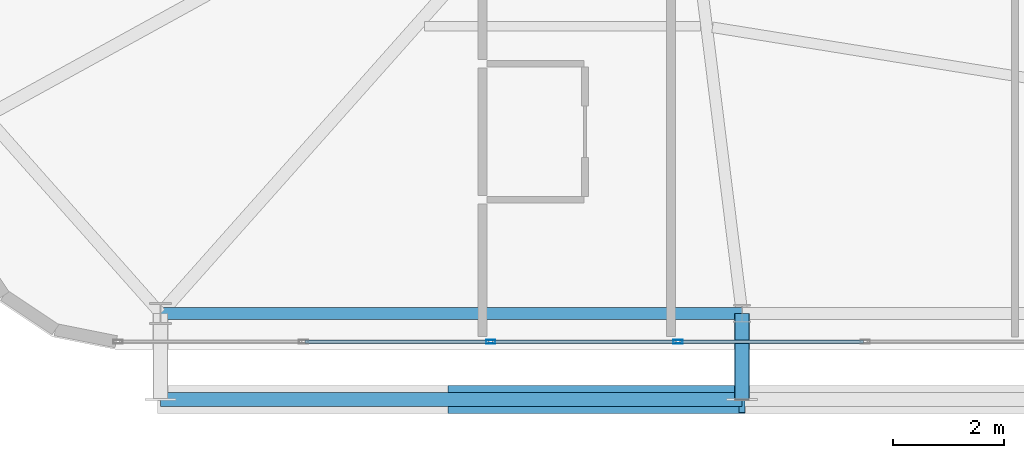
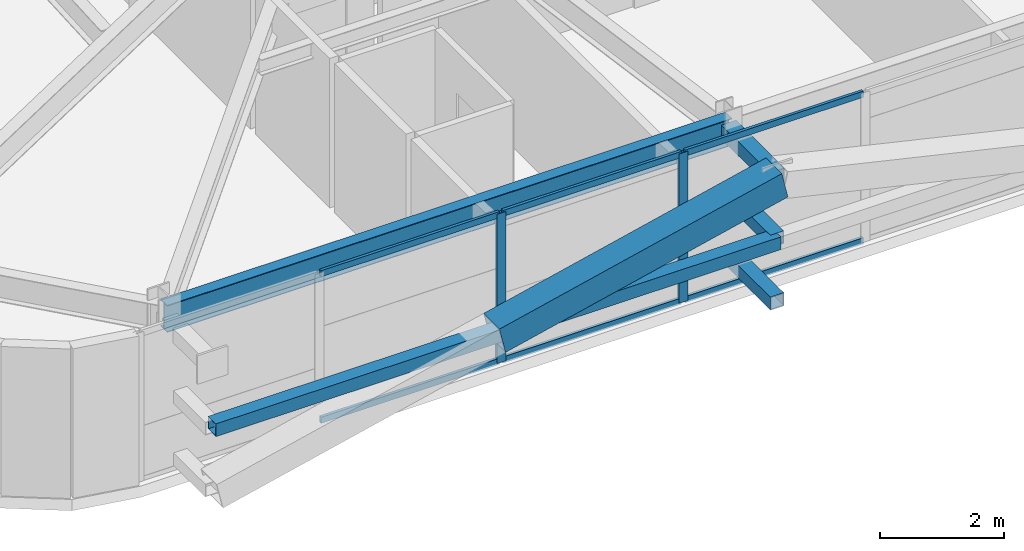
# One storey, part 6 of 58: 13 members, 1 beam, 1 element without a shape of its own.
"""IFC4 building model written with IfcOpenShell, lengths in metres."""

from ifc_helpers import new_model, si_unit, direction, frame, origin, origin_2d, place, context, subcontext, project, spatial, hollow_rectangle, i_section, extrude, source, transform, mapped, material, layer, layer_set, material_profile, profile_set, type_object, element, aggregate, save


model = new_model("IFC4")

# Units and contexts
model_context = context("Model", 3, precision=1e-05, world=origin(), true_north=direction((0.0, 1.0)))
body_context = subcontext(model_context, "Body", "Model", "MODEL_VIEW")
ifc_project = project(units=[si_unit("LENGTHUNIT", "METRE"), si_unit("AREAUNIT", "SQUARE_METRE"), si_unit("VOLUMEUNIT", "CUBIC_METRE"), si_unit("PLANEANGLEUNIT", "RADIAN"), si_unit("MASSUNIT", "GRAM", prefix="KILO")], contexts=[model_context])

# Site, building, storey
site_placement = place(None, origin())
site = spatial("IfcSite", under=ifc_project, at=site_placement, CompositionType="ELEMENT")
building_placement = place(site_placement, origin())
building = spatial("IfcBuilding", under=site, at=building_placement, Name="Taldren Reach Tower", CompositionType="ELEMENT")
storey_placement = place(building_placement, frame((0.0, 0.0, 54.60009765625)))
storey = spatial("IfcBuildingStorey", under=building, at=storey_placement, Name="L16", CompositionType="ELEMENT", Elevation=54.60009765625)

# Beam
ifc_material_1 = material(Name="Steel Gr 350 (350PLUS)", Category="steel")
ifc_material_profile_1 = material_profile(ifc_material_1, i_section(OverallWidth=0.208984375, OverallDepth=0.528076171875, WebThickness=0.009521484375, FlangeThickness=0.01318359375, at=origin_2d()), Name="530UB82.0")
ifc_profile_set_1 = profile_set([ifc_material_profile_1], Name="Steel Gr 350 (350PLUS)")
beam_type = type_object("IfcBeamType", Name="SP-UB530B", PredefinedType="SPANDREL", material=ifc_profile_set_1)
shared_shape_1 = source(origin(), body_context, "Body", "SweptSolid", [
    extrude(i_section(OverallWidth=0.208984375, OverallDepth=0.528076171875, WebThickness=0.009521484375, FlangeThickness=0.01318359375, at=origin_2d()), origin(), (0.0, 0.0, 1.0), 10.47998046875),
])
beam_placement = place(storey_placement, frame((8.800048828125, 2.14990234375, 2.666015625), z_axis=(1.0, 0.0, 0.0), x_axis=(0.0, 1.0, 0.0)))
element("IfcBeam", 1, at=beam_placement, inside=storey, type_object=beam_type, Name="Perimeter spandrel B1 S1-S2 L16", PredefinedType="SPANDREL", context=body_context, shape_type="MappedRepresentation", body=[
    mapped(shared_shape_1, transform((0.0, 0.0, 0.0), scale=1.0)),
])

# Members
ifc_material_2 = material(Name="Steel Gr 450 (C450L0)", Category="steel")
ifc_material_profile_2 = material_profile(ifc_material_2, hollow_rectangle(XDim=0.27490234375, YDim=0.27490234375, WallThickness=0.00927734375, at=origin_2d()), Name="275x275x9.3SHS")
ifc_profile_set_2 = profile_set([ifc_material_profile_2], Name="Steel Gr 450 (C450L0)")
member_type_1 = type_object("IfcMemberType", Name="MB-TIE273", PredefinedType="STRUT", material=ifc_profile_set_2)
shared_shape_2 = source(origin(), body_context, "Body", "SweptSolid", [
    extrude(hollow_rectangle(XDim=0.27490234375, YDim=0.27490234375, WallThickness=0.00927734375, at=origin_2d()), origin(), (0.0, 0.0, 1.0), 1.5498046875),
])
member_1_placement = place(storey_placement, frame((19.280029296875, 2.14990234375, 2.64990234375), z_axis=(0.0, -1.0, 0.0), x_axis=(1.0, 0.0, 0.0)))
element("IfcMember", 2, at=member_1_placement, inside=storey, type_object=member_type_1, Name="Exoskeleton diaphragm tie strut B1-S2 L16", PredefinedType="STRUT", context=body_context, shape_type="MappedRepresentation", body=[
    mapped(shared_shape_2, transform((0.0, 0.0, 0.0), scale=1.0)),
])
ifc_material_profile_3 = material_profile(ifc_material_2, hollow_rectangle(XDim=0.510009765625, YDim=0.510009765625, WallThickness=0.02001953125, at=origin_2d()), Name="510x510x20.0SHS")
ifc_profile_set_3 = profile_set([ifc_material_profile_3], Name="Steel Gr 450 (C450L0)")
member_type_2 = type_object("IfcMemberType", Name="MB-EXO508", PredefinedType="BRACE", material=ifc_profile_set_3)
shared_shape_3 = source(origin(), body_context, "Body", "SweptSolid", [
    extrude(hollow_rectangle(XDim=0.510009765625, YDim=0.510009765625, WallThickness=0.02001953125, at=origin_2d()), origin(), (0.0, 0.0, 1.0), 5.37890625),
])
member_2_placement = place(storey_placement, frame((14.0400390625, 0.60009765625, 1.434814453125), z_axis=(0.97415197996, 0.0, 0.225893603143), x_axis=(0.0, 1.0, 0.0)))
element("IfcMember", 3, at=member_2_placement, inside=storey, type_object=member_type_2, Name="Exoskeleton Diagrid Brace B1-S1 L16", PredefinedType="BRACE", context=body_context, shape_type="MappedRepresentation", body=[
    mapped(shared_shape_3, transform((0.0, 0.0, 0.0), scale=1.0)),
])
ifc_material_3 = material(Name="Steel Gr 350 (C350L0)", Category="steel")
ifc_material_profile_4 = material_profile(ifc_material_3, hollow_rectangle(XDim=0.25, YDim=0.25, WallThickness=0.010009765625, at=origin_2d()), Name="250x250x10.0SHS")
ifc_profile_set_4 = profile_set([ifc_material_profile_4], Name="Steel Gr 350 (C350L0)")
member_type_3 = type_object("IfcMemberType", Name="MB-POST250", PredefinedType="POST", material=ifc_profile_set_4)
shared_shape_4 = source(origin(), body_context, "Body", "SweptSolid", [
    extrude(hollow_rectangle(XDim=0.25, YDim=0.25, WallThickness=0.010009765625, at=origin_2d()), origin(), (0.0, 0.0, 1.0), 10.47998046875),
])
member_3_placement = place(storey_placement, frame((8.800048828125, 0.60009765625, 1.434814453125), z_axis=(1.0, 0.0, 0.0), x_axis=(0.0, 1.0, 0.0)))
element("IfcMember", 4, at=member_3_placement, inside=storey, type_object=member_type_3, Name="Exoskeleton mid-height ring chord B1-S1 L16", PredefinedType="POST", context=body_context, shape_type="MappedRepresentation", body=[
    mapped(shared_shape_4, transform((0.0, 0.0, 0.0), scale=1.0)),
])
shared_shape_5 = source(origin(), body_context, "Body", "SweptSolid", [
    extrude(hollow_rectangle(XDim=0.25, YDim=0.25, WallThickness=0.010009765625, at=origin_2d()), origin(), (0.0, 0.0, 1.0), 1.5498046875),
])
for number, where, z_axis, x_axis, name in (
    (5, (19.280029296875, 2.14990234375, 0.219970703125), (0.0, -1.0, 0.0), (1.0, 0.0, 0.0), "Exoskeleton base diaphragm tie strut B1-S2 L16"),
    (6, (19.280029296875, 2.14990234375, 1.434814453125), (0.0, -1.0, 0.0), (1.0, 0.0, 0.0), "Exoskeleton mid-tier diaphragm tie B1-S2 L16"),
):
    element("IfcMember", number, at=place(storey_placement, frame(where, z_axis=z_axis, x_axis=x_axis)), inside=storey, type_object=member_type_3, Name=name, PredefinedType="POST", context=body_context, shape_type="MappedRepresentation", body=[
        mapped(shared_shape_5, transform((0.0, 0.0, 0.0), scale=1.0)),
    ])

# Curtain wall, members
ifc_material_4 = material(Name="Aluminium and Low-E Glass Unitised System", Category="aluminium")
ifc_layer = layer(ifc_material_4, 0.159912109375)
ifc_layer_set = layer_set([ifc_layer], Name="Aluminium and Low-E Glass Unitised System")
curtain_wall_type = type_object("IfcCurtainWallType", Name="CW-SYS-2", PredefinedType="NOTDEFINED", material=ifc_layer_set)
curtain_wall_placement = place(storey_placement, origin())
curtain_wall = element("IfcCurtainWall", 7, at=curtain_wall_placement, inside=storey, type_object=curtain_wall_type, Name="Unitised curtain wall CW-L16-S", PredefinedType="NOTDEFINED")
ifc_material_5 = material(Name="Anodised Aluminium 6063-T6", Category="aluminium")
ifc_material_profile_5 = material_profile(ifc_material_5, hollow_rectangle(XDim=0.06494140625, YDim=0.1650390625, WallThickness=0.00390625, at=origin_2d()), Name="ALU-165x65x4RHS")
ifc_profile_set_5 = profile_set([ifc_material_profile_5], Name="Anodised Aluminium 6063-T6")
member_type_4 = type_object("IfcMemberType", Name="CW-MUL-165", PredefinedType="MULLION", material=ifc_profile_set_5)
shared_shape_6 = source(origin(), body_context, "Body", "SweptSolid", [
    extrude(hollow_rectangle(XDim=0.06494140625, YDim=0.1650390625, WallThickness=0.00390625, at=origin_2d()), origin(), (0.0, 0.0, 1.0), 2.929931640625),
])
member_4_placement = place(storey_placement, frame((14.75, 1.639892578125, 0.0), z_axis=(0.0, 0.0, 1.0), x_axis=(0.0, 1.0, 0.0)))
member_4 = element("IfcMember", 8, at=member_4_placement, type_object=member_type_4, Name="CW-2 mullion 3", PredefinedType="MULLION", context=body_context, shape_type="MappedRepresentation", body=[
    mapped(shared_shape_6, transform((0.0, 0.0, 0.0), scale=1.0)),
])
member_5_placement = place(storey_placement, frame((18.125, 1.639892578125, 0.0), z_axis=(0.0, 0.0, 1.0), x_axis=(0.0, 1.0, 0.0)))
member_5 = element("IfcMember", 9, at=member_5_placement, type_object=member_type_4, Name="CW-2 mullion 4", PredefinedType="MULLION", context=body_context, shape_type="MappedRepresentation", body=[
    mapped(shared_shape_6, transform((0.0, 0.0, 0.0), scale=1.0)),
])
ifc_material_profile_6 = material_profile(ifc_material_5, hollow_rectangle(XDim=0.054931640625, YDim=0.1201171875, WallThickness=0.0029296875, at=origin_2d()), Name="ALU-120x55x3RHS")
ifc_profile_set_6 = profile_set([ifc_material_profile_6], Name="Anodised Aluminium 6063-T6")
member_type_5 = type_object("IfcMemberType", Name="CW-TRN-135", PredefinedType="USERDEFINED", material=ifc_profile_set_6)
shared_shape_7 = source(origin(), body_context, "Body", "SweptSolid", [
    extrude(hollow_rectangle(XDim=0.054931640625, YDim=0.1201171875, WallThickness=0.0029296875, at=origin_2d()), origin(), (0.0, 0.0, 1.0), 3.31005859375),
])
member_6_placement = place(storey_placement, frame((11.407470703125, 1.639892578125, 0.02734375), z_axis=(1.0, 0.0, 0.0), x_axis=(0.0, 1.0, 0.0)))
member_6 = element("IfcMember", 10, at=member_6_placement, type_object=member_type_5, Name="CW-2 transom 2.1", ObjectType="TRANSOM", PredefinedType="USERDEFINED", context=body_context, shape_type="MappedRepresentation", body=[
    mapped(shared_shape_7, transform((0.0, 0.0, 0.0), scale=1.0)),
])
member_7_placement = place(storey_placement, frame((11.407470703125, 1.639892578125, 2.90234375), z_axis=(1.0, 0.0, 0.0), x_axis=(0.0, 1.0, 0.0)))
member_7 = element("IfcMember", 11, at=member_7_placement, type_object=member_type_5, Name="CW-2 transom 2.2", ObjectType="TRANSOM", PredefinedType="USERDEFINED", context=body_context, shape_type="MappedRepresentation", body=[
    mapped(shared_shape_7, transform((0.0, 0.0, 0.0), scale=1.0)),
])
member_8_placement = place(storey_placement, frame((14.782470703125, 1.639892578125, 0.02734375), z_axis=(1.0, 0.0, 0.0), x_axis=(0.0, 1.0, 0.0)))
member_8 = element("IfcMember", 12, at=member_8_placement, type_object=member_type_5, Name="CW-2 transom 3.1", ObjectType="TRANSOM", PredefinedType="USERDEFINED", context=body_context, shape_type="MappedRepresentation", body=[
    mapped(shared_shape_7, transform((0.0, 0.0, 0.0), scale=1.0)),
])
member_9_placement = place(storey_placement, frame((14.782470703125, 1.639892578125, 2.90234375), z_axis=(1.0, 0.0, 0.0), x_axis=(0.0, 1.0, 0.0)))
member_9 = element("IfcMember", 13, at=member_9_placement, type_object=member_type_5, Name="CW-2 transom 3.2", ObjectType="TRANSOM", PredefinedType="USERDEFINED", context=body_context, shape_type="MappedRepresentation", body=[
    mapped(shared_shape_7, transform((0.0, 0.0, 0.0), scale=1.0)),
])
member_10_placement = place(storey_placement, frame((18.157470703125, 1.639892578125, 0.02734375), z_axis=(1.0, 0.0, 0.0), x_axis=(0.0, 1.0, 0.0)))
member_10 = element("IfcMember", 14, at=member_10_placement, type_object=member_type_5, Name="CW-2 transom 4.1", ObjectType="TRANSOM", PredefinedType="USERDEFINED", context=body_context, shape_type="MappedRepresentation", body=[
    mapped(shared_shape_7, transform((0.0, 0.0, 0.0), scale=1.0)),
])
member_11_placement = place(storey_placement, frame((18.157470703125, 1.639892578125, 2.90234375), z_axis=(1.0, 0.0, 0.0), x_axis=(0.0, 1.0, 0.0)))
member_11 = element("IfcMember", 15, at=member_11_placement, type_object=member_type_5, Name="CW-2 transom 4.2", ObjectType="TRANSOM", PredefinedType="USERDEFINED", context=body_context, shape_type="MappedRepresentation", body=[
    mapped(shared_shape_7, transform((0.0, 0.0, 0.0), scale=1.0)),
])
aggregate(curtain_wall, [member_4, member_5, member_6, member_7, member_8, member_9, member_10, member_11])

save(model, "model.ifc")
